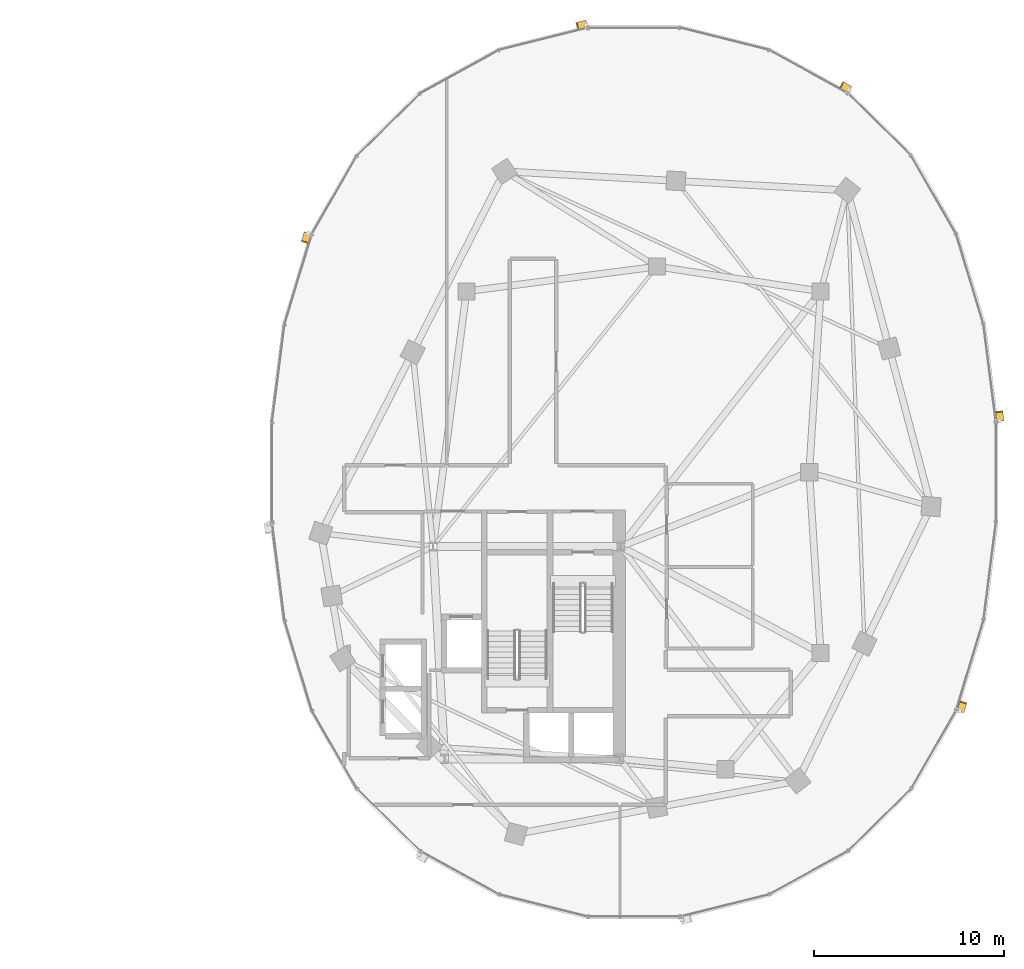
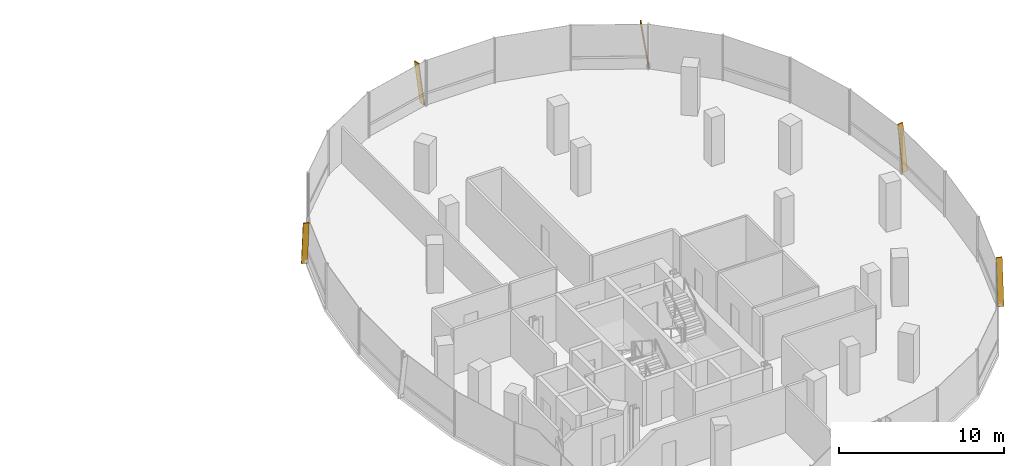
# One storey, part 21 of 21: 5 shading devices.
"""IFC4 building model written with IfcOpenShell, lengths in metres."""

from ifc_helpers import new_model, si_unit, direction, frame, origin, origin_2d, place, context, subcontext, project, spatial, rectangle, extrude, material, material_profile, profile_set, type_object, element, save


model = new_model("IFC4")

# Units and contexts
model_context = context("Model", 3, precision=1e-05, world=origin(), true_north=direction((0.0, 1.0)))
body_context = subcontext(model_context, "Body", "Model", "MODEL_VIEW")
ifc_project = project(units=[si_unit("LENGTHUNIT", "METRE"), si_unit("AREAUNIT", "SQUARE_METRE"), si_unit("VOLUMEUNIT", "CUBIC_METRE"), si_unit("PLANEANGLEUNIT", "RADIAN"), si_unit("MASSUNIT", "GRAM", prefix="KILO"), si_unit("THERMODYNAMICTEMPERATUREUNIT", "KELVIN"), si_unit("POWERUNIT", "WATT")], contexts=[model_context])

# Site, building, storey
site_placement = place(None, origin())
site = spatial("IfcSite", under=ifc_project, at=site_placement, CompositionType="ELEMENT")
building_placement = place(site_placement, origin())
building = spatial("IfcBuilding", under=site, at=building_placement, Name="Cundina Bronze Exchange", CompositionType="ELEMENT")
storey_placement = place(building_placement, frame((0.0, 0.0, 180.0)))
storey = spatial("IfcBuildingStorey", under=building, at=storey_placement, Name="L47", CompositionType="ELEMENT", Elevation=180.0)

# Shading devices
ifc_material = material(Name="Anodised Bronze Aluminium 6063-T6", Category="aluminium")
ifc_material_profile = material_profile(ifc_material, rectangle(XDim=0.070068359375, YDim=0.3798828125, at=origin_2d()), Name="FIN70X380", Category="aluminium")
ifc_profile_set = profile_set([ifc_material_profile], Name="Anodised Bronze Aluminium 6063-T6")
shading_device_type = type_object("IfcShadingDeviceType", Name="SHD-FIN-BRZ380", PredefinedType="USERDEFINED", material=ifc_profile_set)
for number, where, z_axis, x_axis, name in (
    (1, (51.23486328125, 2.705810546875, 0.02001953125), (-0.018121805099, 0.141917750773, 0.989712560391), (0.125360789044, -0.981741119016, 0.143070080046), "L47 Diagonal Bronze Solar Fin 1"),
    (2, (43.320068359375, 20.11181640625, 0.02001953125), (-0.125324460949, 0.068993954111, 0.989713905017), (0.867011652888, -0.477309551067, 0.143060778049), "L47 Diagonal Bronze Solar Fin 5"),
    (3, (29.48046875, 23.556396484375, 0.02001953125), (-0.138788401144, -0.034715294885, 0.989713407007), (0.960133415413, 0.240159223467, 0.14306422331), "L47 Diagonal Bronze Solar Fin 1"),
    (4, (14.848876953125, 12.5439453125, 0.02001953125), (-0.041483395017, -0.136967981441, 0.989706471636), (0.286882504107, 0.947215566191, 0.143112193758), "L47 Diagonal Bronze Solar Fin 5"),
    (5, (49.151123046875, -12.5439453125, 0.02001953125), (0.041483395017, 0.136967981441, 0.989706471636), (-0.286882504107, -0.947215566191, 0.143112193758), "L47 Diagonal Bronze Solar Fin 5"),
):
    element("IfcShadingDevice", number, at=place(storey_placement, frame(where, z_axis=z_axis, x_axis=x_axis)), inside=storey, type_object=shading_device_type, Name=name, ObjectType="FIN", PredefinedType="USERDEFINED", context=body_context, shape_type="SweptSolid", body=[
        extrude(rectangle(XDim=0.070068359375, YDim=0.3798828125, at=origin_2d()), origin(), (0.0, 0.0, 1.0), 3.3544921875),
    ])

save(model, "model.ifc")
